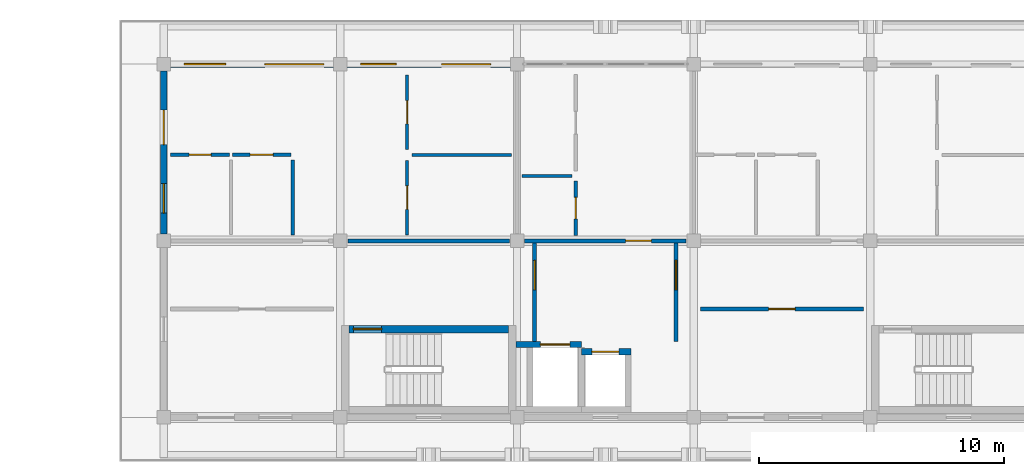
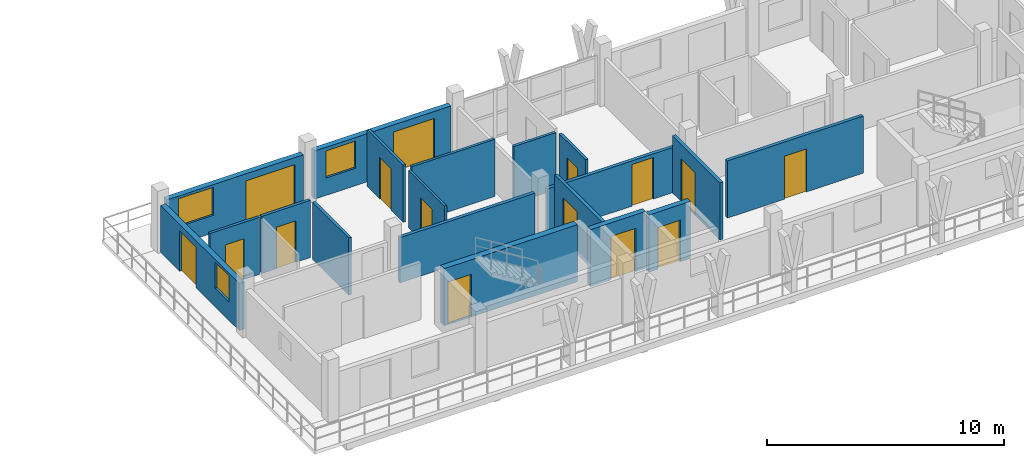
# One storey, part 49 of 65: 19 walls, 15 doors, 3 windows, 18 openings.
"""IFC4 building model written with IfcOpenShell, lengths in metres."""

from ifc_helpers import new_model, si_unit, direction, frame, frame_2d, origin, place, context, subcontext, project, spatial, rectangle, extrude, material, layer, layer_set, type_object, element, fill, save


model = new_model("IFC4")

# Units and contexts
model_context = context("Model", 3, precision=1e-05, world=origin(), true_north=direction((0.0, 1.0)))
body_context = subcontext(model_context, "Body", "Model", "MODEL_VIEW")
ifc_project = project(units=[si_unit("LENGTHUNIT", "METRE"), si_unit("AREAUNIT", "SQUARE_METRE"), si_unit("VOLUMEUNIT", "CUBIC_METRE"), si_unit("PLANEANGLEUNIT", "RADIAN"), si_unit("MASSUNIT", "GRAM", prefix="KILO")], contexts=[model_context])

# Site, building, storey
site_placement = place(None, origin())
site = spatial("IfcSite", under=ifc_project, at=site_placement, CompositionType="ELEMENT")
building_placement = place(site_placement, origin())
building = spatial("IfcBuilding", under=site, at=building_placement, Name="Suanplinth Sawtooth Commons", CompositionType="ELEMENT")
storey_placement = place(building_placement, frame((0.0, 0.0, 28.300048828125)))
storey = spatial("IfcBuildingStorey", under=building, at=storey_placement, Name="L08", CompositionType="ELEMENT", Elevation=28.300048828125)

# Wall, opening, door
ifc_material_1 = material(Name="Concrete C40/50", Category="concrete")
ifc_layer_1 = layer(ifc_material_1, 0.300048828125, Name="Standard RC stair and lift core wall 300mm")
ifc_layer_set_1 = layer_set([ifc_layer_1], Name="Concrete C40/50")
wall_type_1 = type_object("IfcWallType", Name="W-CR02", PredefinedType="SHEAR", material=ifc_layer_set_1)
wall_1_placement = place(storey_placement, frame((137.14990234375, 111.60009765625, 0.0), z_axis=(0.0, 0.0, 1.0), x_axis=(1.0, 0.0, 0.0)))
wall_1 = element("IfcWall", 1, at=wall_1_placement, inside=storey, type_object=wall_type_1, Name="W-L08-C-B1-STN", PredefinedType="SHEAR", context=body_context, shape_type="SweptSolid", body=[
    extrude(rectangle(XDim=6.5, YDim=0.300048828125, at=frame_2d((3.25, 0.0))), origin(), (0.0, 0.0, 1.0), 2.949951171875),
])
opening_1_placement = place(wall_1_placement, frame((0.179931640625, 0.0, 0.0)))
opening_1 = element("IfcOpeningElement", 2, at=opening_1_placement, cuts=wall_1, Name="Opening FD0199", PredefinedType="OPENING", context=body_context, shape_type="SweptSolid", body=[
    extrude(rectangle(XDim=1.14990234375, YDim=2.199951171875, at=frame_2d((0.574951171875, 1.10009765625))), frame((0.0, 0.1650390625, 0.0), z_axis=(0.0, -1.0, 0.0), x_axis=(1.0, 0.0, 0.0)), (0.0, 0.0, 1.0), 0.329833984375),
])
ifc_material_2 = material(Name="Teak hardwood fire-rated door assembly", Category="wood")
door_type_1 = type_object("IfcDoorType", Name="FD-01", OperationType="NOTDEFINED", PredefinedType="DOOR", material=ifc_material_2)
door_1_placement = place(opening_1_placement, frame((1.14990234375, 0.0, 0.0), z_axis=(0.0, 0.0, 1.0), x_axis=(-1.0, 0.0, 0.0)))
door_1 = element("IfcDoor", 3, at=door_1_placement, inside=storey, type_object=door_type_1, Name="Exit Stair Fire Door FD0199", OperationType="SINGLE_SWING_LEFT", OverallHeight=2.199951171875, OverallWidth=1.14990234375, PredefinedType="DOOR", context=body_context, shape_type="SweptSolid", body=[
    extrude(rectangle(XDim=1.14990234375, YDim=2.199951171875, at=frame_2d((0.574951171875, 1.10009765625))), frame((0.0, 0.02490234375, 0.0), z_axis=(0.0, -1.0, 0.0), x_axis=(1.0, 0.0, 0.0)), (0.0, 0.0, 1.0), 0.050048828125),
])
fill(opening_1, door_1)

# Wall, openings, door, window
ifc_material_3 = material(Name="Precast concrete C40/50", Category="concrete")
ifc_layer_2 = layer(ifc_material_3, 0.260009765625, Name="Insulated precast courtyard facade wall 260mm")
ifc_layer_set_2 = layer_set([ifc_layer_2], Name="Precast concrete C40/50")
wall_type_2 = type_object("IfcWallType", Name="W-EX02", PredefinedType="ELEMENTEDWALL", material=ifc_layer_set_2)
wall_2_placement = place(storey_placement, frame((129.875, 122.39990234375, 0.0), z_axis=(0.0, 0.0, 1.0), x_axis=(1.0, 0.0, 0.0)))
wall_2 = element("IfcWall", 4, at=wall_2_placement, inside=storey, type_object=wall_type_2, Name="Facade Wall W-L08-B-N-18-16", PredefinedType="ELEMENTEDWALL", context=body_context, shape_type="SweptSolid", body=[
    extrude(rectangle(XDim=6.64990234375, YDim=0.260009765625, at=frame_2d((3.324951171875, 0.0))), origin(), (0.0, 0.0, 1.0), 2.48486328125),
])
opening_2_placement = place(wall_2_placement, frame((3.85009765625, 0.0, 0.0)))
opening_2 = element("IfcOpeningElement", 5, at=opening_2_placement, cuts=wall_2, Name="Opening ED0643", PredefinedType="OPENING", context=body_context, shape_type="SweptSolid", body=[
    extrude(rectangle(XDim=2.39990234375, YDim=2.1201171875, at=frame_2d((1.199951171875, 1.06005859375))), frame((0.0, 0.14501953125, 0.0), z_axis=(0.0, -1.0, 0.0), x_axis=(1.0, 0.0, 0.0)), (0.0, 0.0, 1.0), 0.289794921875),
])
opening_3_placement = place(wall_2_placement, frame((0.550048828125, 0.0, 0.89990234375)))
opening_3 = element("IfcOpeningElement", 6, at=opening_3_placement, cuts=wall_2, Name="Opening W0723", PredefinedType="OPENING", context=body_context, shape_type="SweptSolid", body=[
    extrude(rectangle(XDim=1.699951171875, YDim=1.449951171875, at=frame_2d((0.85009765625, 0.72509765625))), frame((0.0, 0.14501953125, 0.0), z_axis=(0.0, -1.0, 0.0), x_axis=(1.0, 0.0, 0.0)), (0.0, 0.0, 1.0), 0.289794921875),
])
ifc_material_4 = material(Name="Anodized aluminium and low-E glass", Category="aluminium")
door_type_2 = type_object("IfcDoorType", Name="SD-04", OperationType="DOUBLE_DOOR_SLIDING", PredefinedType="DOOR", material=ifc_material_4)
door_2_placement = place(opening_2_placement, frame((2.39990234375, 0.0, 0.0), z_axis=(0.0, 0.0, 1.0), x_axis=(-1.0, 0.0, 0.0)))
door_2 = element("IfcDoor", 7, at=door_2_placement, inside=storey, type_object=door_type_2, Name="Balcony Sliding Door L08-B-18", OperationType="DOUBLE_DOOR_SLIDING", OverallHeight=2.1201171875, OverallWidth=2.39990234375, PredefinedType="DOOR", context=body_context, shape_type="SweptSolid", body=[
    extrude(rectangle(XDim=2.39990234375, YDim=2.1201171875, at=frame_2d((1.199951171875, 1.06005859375))), frame((0.0, 0.02490234375, 0.0), z_axis=(0.0, -1.0, 0.0), x_axis=(1.0, 0.0, 0.0)), (0.0, 0.0, 1.0), 0.050048828125),
])
fill(opening_2, door_2)
ifc_material_5 = material(Name="Thermally broken aluminium and low-E double glazing", Category="aluminium")
window_type_1 = type_object("IfcWindowType", Name="WN-15", PartitioningType="DOUBLE_PANEL_VERTICAL", PredefinedType="WINDOW", material=ifc_material_5)
window_1_placement = place(opening_3_placement, origin())
window_1 = element("IfcWindow", 8, at=window_1_placement, inside=storey, type_object=window_type_1, Name="Apartment Window L08-B-18", OverallHeight=1.449951171875, OverallWidth=1.699951171875, PartitioningType="DOUBLE_PANEL_VERTICAL", PredefinedType="WINDOW", context=body_context, shape_type="SweptSolid", body=[
    extrude(rectangle(XDim=1.699951171875, YDim=1.449951171875, at=frame_2d((0.85009765625, 0.72509765625))), frame((0.0, 0.030029296875, 0.0), z_axis=(0.0, -1.0, 0.0), x_axis=(1.0, 0.0, 0.0)), (0.0, 0.0, 1.0), 0.06005859375),
])
fill(opening_3, window_1)

wall_3_placement = place(storey_placement, frame((129.60009765625, 115.47509765625, 0.0), z_axis=(0.0, 0.0, 1.0), x_axis=(0.0, 1.0, 0.0)))
wall_3 = element("IfcWall", 9, at=wall_3_placement, inside=storey, type_object=wall_type_2, Name="Facade Wall W-L08-B-W-18-16", PredefinedType="ELEMENTEDWALL", context=body_context, shape_type="SweptSolid", body=[
    extrude(rectangle(XDim=6.64990234375, YDim=0.260009765625, at=frame_2d((3.324951171875, 0.0))), origin(), (0.0, 0.0, 1.0), 2.43505859375),
])
opening_4_placement = place(wall_3_placement, frame((3.64990234375, 0.0, 0.0)))
opening_4 = element("IfcOpeningElement", 10, at=opening_4_placement, cuts=wall_3, Name="Opening ED0644", PredefinedType="OPENING", context=body_context, shape_type="SweptSolid", body=[
    extrude(rectangle(XDim=1.39990234375, YDim=2.10009765625, at=frame_2d((0.699951171875, 1.050048828125))), frame((0.0, 0.14501953125, 0.0), z_axis=(0.0, -1.0, 0.0), x_axis=(1.0, 0.0, 0.0)), (0.0, 0.0, 1.0), 0.289794921875),
])
opening_5_placement = place(wall_3_placement, frame((0.85009765625, 0.0, 0.949951171875)))
opening_5 = element("IfcOpeningElement", 11, at=opening_5_placement, cuts=wall_3, Name="Opening W0724", PredefinedType="OPENING", context=body_context, shape_type="SweptSolid", body=[
    extrude(rectangle(XDim=1.199951171875, YDim=1.35009765625, at=frame_2d((0.60009765625, 0.675048828125))), frame((0.0, 0.14501953125, 0.0), z_axis=(0.0, -1.0, 0.0), x_axis=(1.0, 0.0, 0.0)), (0.0, 0.0, 1.0), 0.289794921875),
])
door_type_3 = type_object("IfcDoorType", Name="SD-07", OperationType="SLIDING_TO_RIGHT", PredefinedType="DOOR", material=ifc_material_4)
door_3_placement = place(opening_4_placement, frame((1.39990234375, 0.0, 0.0), z_axis=(0.0, 0.0, 1.0), x_axis=(-1.0, 0.0, 0.0)))
door_3 = element("IfcDoor", 12, at=door_3_placement, inside=storey, type_object=door_type_3, Name="End Balcony Sliding Door L08-B-W-18-16", OperationType="SLIDING_TO_RIGHT", OverallHeight=2.10009765625, OverallWidth=1.39990234375, PredefinedType="DOOR", context=body_context, shape_type="SweptSolid", body=[
    extrude(rectangle(XDim=1.39990234375, YDim=2.10009765625, at=frame_2d((0.699951171875, 1.050048828125))), frame((0.0, 0.02490234375, 0.0), z_axis=(0.0, -1.0, 0.0), x_axis=(1.0, 0.0, 0.0)), (0.0, 0.0, 1.0), 0.050048828125),
])
fill(opening_4, door_3)
window_type_2 = type_object("IfcWindowType", Name="WN-03", PartitioningType="SINGLE_PANEL", PredefinedType="WINDOW", material=ifc_material_5)
window_2_placement = place(opening_5_placement, origin())
window_2 = element("IfcWindow", 13, at=window_2_placement, inside=storey, type_object=window_type_2, Name="End Bedroom Window L08-B-18-16", OverallHeight=1.35009765625, OverallWidth=1.199951171875, PartitioningType="SINGLE_PANEL", PredefinedType="WINDOW", context=body_context, shape_type="SweptSolid", body=[
    extrude(rectangle(XDim=1.199951171875, YDim=1.35009765625, at=frame_2d((0.60009765625, 0.675048828125))), frame((0.0, 0.030029296875, 0.0), z_axis=(0.0, -1.0, 0.0), x_axis=(1.0, 0.0, 0.0)), (0.0, 0.0, 1.0), 0.06005859375),
])
fill(opening_5, window_2)

wall_4_placement = place(storey_placement, frame((137.074951171875, 122.39990234375, 0.0), z_axis=(0.0, 0.0, 1.0), x_axis=(1.0, 0.0, 0.0)))
wall_4 = element("IfcWall", 14, at=wall_4_placement, inside=storey, type_object=wall_type_2, Name="Facade Wall W-L08-B-N-19-16", PredefinedType="ELEMENTEDWALL", context=body_context, shape_type="SweptSolid", body=[
    extrude(rectangle(XDim=6.650146484375, YDim=0.260009765625, at=frame_2d((3.3251953125, 0.0))), origin(), (0.0, 0.0, 1.0), 2.48486328125),
])
opening_6_placement = place(wall_4_placement, frame((3.85009765625, 0.0, 0.0)))
opening_6 = element("IfcOpeningElement", 15, at=opening_6_placement, cuts=wall_4, Name="Opening ED0645", PredefinedType="OPENING", context=body_context, shape_type="SweptSolid", body=[
    extrude(rectangle(XDim=2.0, YDim=2.1201171875, at=frame_2d((1.0, 1.06005859375))), frame((0.0, 0.14501953125, 0.0), z_axis=(0.0, -1.0, 0.0), x_axis=(1.0, 0.0, 0.0)), (0.0, 0.0, 1.0), 0.289794921875),
])
opening_7_placement = place(wall_4_placement, frame((0.550048828125, 0.0, 0.89990234375)))
opening_7 = element("IfcOpeningElement", 16, at=opening_7_placement, cuts=wall_4, Name="Opening W0726", PredefinedType="OPENING", context=body_context, shape_type="SweptSolid", body=[
    extrude(rectangle(XDim=1.449951171875, YDim=1.39990234375, at=frame_2d((0.72509765625, 0.699951171875))), frame((0.0, 0.14501953125, 0.0), z_axis=(0.0, -1.0, 0.0), x_axis=(1.0, 0.0, 0.0)), (0.0, 0.0, 1.0), 0.289794921875),
])
door_type_4 = type_object("IfcDoorType", Name="SD-06", OperationType="DOUBLE_DOOR_SLIDING", PredefinedType="DOOR", material=ifc_material_4)
door_4_placement = place(opening_6_placement, frame((2.0, 0.0, 0.0), z_axis=(0.0, 0.0, 1.0), x_axis=(-1.0, 0.0, 0.0)))
door_4 = element("IfcDoor", 17, at=door_4_placement, inside=storey, type_object=door_type_4, Name="Balcony Sliding Door L08-B-19", OperationType="DOUBLE_DOOR_SLIDING", OverallHeight=2.1201171875, OverallWidth=2.0, PredefinedType="DOOR", context=body_context, shape_type="SweptSolid", body=[
    extrude(rectangle(XDim=2.0, YDim=2.1201171875, at=frame_2d((1.0, 1.06005859375))), frame((0.0, 0.02490234375, 0.0), z_axis=(0.0, -1.0, 0.0), x_axis=(1.0, 0.0, 0.0)), (0.0, 0.0, 1.0), 0.050048828125),
])
fill(opening_6, door_4)
window_type_3 = type_object("IfcWindowType", Name="WN-16", PartitioningType="DOUBLE_PANEL_VERTICAL", PredefinedType="WINDOW", material=ifc_material_5)
window_3_placement = place(opening_7_placement, origin())
window_3 = element("IfcWindow", 18, at=window_3_placement, inside=storey, type_object=window_type_3, Name="Apartment Window L08-B-19", OverallHeight=1.39990234375, OverallWidth=1.449951171875, PartitioningType="DOUBLE_PANEL_VERTICAL", PredefinedType="WINDOW", context=body_context, shape_type="SweptSolid", body=[
    extrude(rectangle(XDim=1.449951171875, YDim=1.39990234375, at=frame_2d((0.72509765625, 0.699951171875))), frame((0.0, 0.030029296875, 0.0), z_axis=(0.0, -1.0, 0.0), x_axis=(1.0, 0.0, 0.0)), (0.0, 0.0, 1.0), 0.06005859375),
])
fill(opening_7, window_3)

# Wall, opening, door
ifc_layer_3 = layer(ifc_material_3, 0.159912109375, Name="Fire-rated corridor and lobby wall 160mm")
ifc_layer_set_3 = layer_set([ifc_layer_3], Name="Precast concrete C40/50")
wall_type_3 = type_object("IfcWallType", Name="W-FW01", PredefinedType="PARTITIONING", material=ifc_layer_set_3)
wall_5_placement = place(storey_placement, frame((144.719970703125, 111.10009765625, 0.0), z_axis=(0.0, 0.0, 1.0), x_axis=(0.0, 1.0, 0.0)))
wall_5 = element("IfcWall", 19, at=wall_5_placement, inside=storey, type_object=wall_type_3, Name="W-L08-C-B1-LOB-W", PredefinedType="PARTITIONING", context=body_context, shape_type="SweptSolid", body=[
    extrude(rectangle(XDim=4.02001953125, YDim=0.159912109375, at=frame_2d((2.010009765625, 0.0))), origin(), (0.0, 0.0, 1.0), 2.949951171875),
])
opening_8_placement = place(wall_5_placement, frame((2.10009765625, 0.0, 0.0)))
opening_8 = element("IfcOpeningElement", 20, at=opening_8_placement, cuts=wall_5, Name="Opening FD0200", PredefinedType="OPENING", context=body_context, shape_type="SweptSolid", body=[
    extrude(rectangle(XDim=1.199951171875, YDim=2.199951171875, at=frame_2d((0.60009765625, 1.10009765625))), frame((0.0, 0.0947265625, 0.0), z_axis=(0.0, -1.0, 0.0), x_axis=(1.0, 0.0, 0.0)), (0.0, 0.0, 1.0), 0.189697265625),
])
door_type_5 = type_object("IfcDoorType", Name="FD-02", OperationType="NOTDEFINED", PredefinedType="DOOR", material=ifc_material_2)
door_5_placement = place(opening_8_placement, origin())
door_5 = element("IfcDoor", 21, at=door_5_placement, inside=storey, type_object=door_type_5, Name="Lobby Fire Door FD0200", OperationType="SINGLE_SWING_RIGHT", OverallHeight=2.199951171875, OverallWidth=1.199951171875, PredefinedType="DOOR", context=body_context, shape_type="SweptSolid", body=[
    extrude(rectangle(XDim=1.199951171875, YDim=2.199951171875, at=frame_2d((0.60009765625, 1.10009765625))), frame((0.0, 0.02490234375, 0.0), z_axis=(0.0, -1.0, 0.0), x_axis=(1.0, 0.0, 0.0)), (0.0, 0.0, 1.0), 0.050048828125),
])
fill(opening_8, door_5)

wall_6_placement = place(storey_placement, frame((150.47998046875, 111.10009765625, 0.0), z_axis=(0.0, 0.0, 1.0), x_axis=(0.0, 1.0, 0.0)))
wall_6 = element("IfcWall", 22, at=wall_6_placement, inside=storey, type_object=wall_type_3, Name="W-L08-C-B1-LOB-E", PredefinedType="PARTITIONING", context=body_context, shape_type="SweptSolid", body=[
    extrude(rectangle(XDim=4.02001953125, YDim=0.159912109375, at=frame_2d((2.010009765625, 0.0))), origin(), (0.0, 0.0, 1.0), 2.949951171875),
])
opening_9_placement = place(wall_6_placement, frame((2.10009765625, 0.0, 0.0)))
opening_9 = element("IfcOpeningElement", 23, at=opening_9_placement, cuts=wall_6, Name="Opening FD0201", PredefinedType="OPENING", context=body_context, shape_type="SweptSolid", body=[
    extrude(rectangle(XDim=1.199951171875, YDim=2.199951171875, at=frame_2d((0.60009765625, 1.10009765625))), frame((0.0, 0.0947265625, 0.0), z_axis=(0.0, -1.0, 0.0), x_axis=(1.0, 0.0, 0.0)), (0.0, 0.0, 1.0), 0.189697265625),
])
door_6_placement = place(opening_9_placement, frame((1.199951171875, 0.0, 0.0), z_axis=(0.0, 0.0, 1.0), x_axis=(-1.0, 0.0, 0.0)))
door_6 = element("IfcDoor", 24, at=door_6_placement, inside=storey, type_object=door_type_5, Name="Lobby Fire Door FD0201", OperationType="SINGLE_SWING_LEFT", OverallHeight=2.199951171875, OverallWidth=1.199951171875, PredefinedType="DOOR", context=body_context, shape_type="SweptSolid", body=[
    extrude(rectangle(XDim=1.199951171875, YDim=2.199951171875, at=frame_2d((0.60009765625, 1.10009765625))), frame((0.0, 0.02490234375, 0.0), z_axis=(0.0, -1.0, 0.0), x_axis=(1.0, 0.0, 0.0)), (0.0, 0.0, 1.0), 0.050048828125),
])
fill(opening_9, door_6)

# Wall
wall_7_placement = place(storey_placement, frame((137.10498046875, 115.199951171875, 0.0), z_axis=(0.0, 0.0, 1.0), x_axis=(1.0, 0.0, 0.0)))
element("IfcWall", 25, at=wall_7_placement, inside=storey, type_object=wall_type_3, Name="W-B-L08-U01-COR-S2", PredefinedType="PARTITIONING", context=body_context, shape_type="SweptSolid", body=[
    extrude(rectangle(XDim=6.590087890625, YDim=0.159912109375, at=frame_2d((3.294921875, 0.0))), origin(), (0.0, 0.0, 1.0), 2.3349609375),
])

# Wall, opening, door
wall_8_placement = place(storey_placement, frame((144.304931640625, 115.199951171875, 0.0), z_axis=(0.0, 0.0, 1.0), x_axis=(1.0, 0.0, 0.0)))
wall_8 = element("IfcWall", 26, at=wall_8_placement, inside=storey, type_object=wall_type_3, Name="W-B-L08-U02-COR", PredefinedType="PARTITIONING", context=body_context, shape_type="SweptSolid", body=[
    extrude(rectangle(XDim=6.590087890625, YDim=0.159912109375, at=frame_2d((3.294921875, 0.0))), origin(), (0.0, 0.0, 1.0), 2.3349609375),
])
opening_10_placement = place(wall_8_placement, frame((4.1201171875, 0.0, 0.0)))
opening_10 = element("IfcOpeningElement", 27, at=opening_10_placement, cuts=wall_8, Name="Opening FD1674", PredefinedType="OPENING", context=body_context, shape_type="SweptSolid", body=[
    extrude(rectangle(XDim=1.050048828125, YDim=2.14990234375, at=frame_2d((0.52490234375, 1.074951171875))), frame((0.0, 0.0947265625, 0.0), z_axis=(0.0, -1.0, 0.0), x_axis=(1.0, 0.0, 0.0)), (0.0, 0.0, 1.0), 0.189697265625),
])
door_type_6 = type_object("IfcDoorType", Name="FD-04", OperationType="NOTDEFINED", PredefinedType="DOOR", material=ifc_material_2)
door_7_placement = place(opening_10_placement, origin())
door_7 = element("IfcDoor", 28, at=door_7_placement, inside=storey, type_object=door_type_6, Name="Unit Entrance Door FD1674", OperationType="SINGLE_SWING_RIGHT", OverallHeight=2.14990234375, OverallWidth=1.050048828125, PredefinedType="DOOR", context=body_context, shape_type="SweptSolid", body=[
    extrude(rectangle(XDim=1.050048828125, YDim=2.14990234375, at=frame_2d((0.52490234375, 1.074951171875))), frame((0.0, 0.02490234375, 0.0), z_axis=(0.0, -1.0, 0.0), x_axis=(1.0, 0.0, 0.0)), (0.0, 0.0, 1.0), 0.050048828125),
])
fill(opening_10, door_7)

wall_9_placement = place(storey_placement, frame((151.47998046875, 112.419921875, 0.0), z_axis=(0.0, 0.0, 1.0), x_axis=(1.0, 0.0, 0.0)))
wall_9 = element("IfcWall", 29, at=wall_9_placement, inside=storey, type_object=wall_type_3, Name="W-B-L08-COURTROOM-23-COR", PredefinedType="PARTITIONING", context=body_context, shape_type="SweptSolid", body=[
    extrude(rectangle(XDim=6.64013671875, YDim=0.159912109375, at=frame_2d((3.320068359375, 0.0))), origin(), (0.0, 0.0, 1.0), 2.949951171875),
])
opening_11_placement = place(wall_9_placement, frame((2.780029296875, 0.0, 0.0)))
opening_11 = element("IfcOpeningElement", 30, at=opening_11_placement, cuts=wall_9, Name="Opening D1691", PredefinedType="OPENING", context=body_context, shape_type="SweptSolid", body=[
    extrude(rectangle(XDim=1.080078125, YDim=2.219970703125, at=frame_2d((0.5400390625, 1.10986328125))), frame((0.0, 0.0947265625, 0.0), z_axis=(0.0, -1.0, 0.0), x_axis=(1.0, 0.0, 0.0)), (0.0, 0.0, 1.0), 0.189697265625),
])
ifc_material_6 = material(Name="Teak hardwood", Category="wood")
door_type_7 = type_object("IfcDoorType", Name="D-17", OperationType="NOTDEFINED", PredefinedType="DOOR", material=ifc_material_6)
door_8_placement = place(opening_11_placement, frame((1.080078125, 0.0, 0.0), z_axis=(0.0, 0.0, 1.0), x_axis=(-1.0, 0.0, 0.0)))
door_8 = element("IfcDoor", 31, at=door_8_placement, inside=storey, type_object=door_type_7, Name="Study Studio Door D1691", OperationType="SINGLE_SWING_LEFT", OverallHeight=2.219970703125, OverallWidth=1.080078125, PredefinedType="DOOR", context=body_context, shape_type="SweptSolid", body=[
    extrude(rectangle(XDim=1.080078125, YDim=2.219970703125, at=frame_2d((0.5400390625, 1.10986328125))), frame((0.0, 0.02490234375, 0.0), z_axis=(0.0, -1.0, 0.0), x_axis=(1.0, 0.0, 0.0)), (0.0, 0.0, 1.0), 0.050048828125),
])
fill(opening_11, door_8)

ifc_material_7 = material(Name="Gypsum plasterboard on steel stud", Category="steel")
ifc_layer_4 = layer(ifc_material_7, 0.139892578125, Name="Fire-rated kitchen partition 140mm")
ifc_layer_set_4 = layer_set([ifc_layer_4], Name="Gypsum plasterboard on steel stud")
wall_type_4 = type_object("IfcWallType", Name="W-PT01", PredefinedType="PARTITIONING", material=ifc_layer_set_4)
wall_10_placement = place(storey_placement, frame((132.39990234375, 118.7099609375, 0.0), z_axis=(0.0, 0.0, 1.0), x_axis=(1.0, 0.0, 0.0)))
wall_10 = element("IfcWall", 32, at=wall_10_placement, inside=storey, type_object=wall_type_4, Name="W-B-L08-U01-KIT1", PredefinedType="PARTITIONING", context=body_context, shape_type="SweptSolid", body=[
    extrude(rectangle(XDim=2.380126953125, YDim=0.139892578125, at=frame_2d((1.18994140625, 0.0))), origin(), (0.0, 0.0, 1.0), 2.949951171875),
])
opening_12_placement = place(wall_10_placement, frame((0.72509765625, 0.0, 0.0)))
opening_12 = element("IfcOpeningElement", 33, at=opening_12_placement, cuts=wall_10, Name="Opening D1671", PredefinedType="OPENING", context=body_context, shape_type="SweptSolid", body=[
    extrude(rectangle(XDim=0.929931640625, YDim=2.139892578125, at=frame_2d((0.46484375, 1.06982421875))), frame((0.0, 0.0849609375, 0.0), z_axis=(0.0, -1.0, 0.0), x_axis=(1.0, 0.0, 0.0)), (0.0, 0.0, 1.0), 0.169677734375),
])
door_type_8 = type_object("IfcDoorType", Name="D-19", OperationType="NOTDEFINED", PredefinedType="DOOR", material=ifc_material_6)
door_9_placement = place(opening_12_placement, frame((0.929931640625, 0.0, 0.0), z_axis=(0.0, 0.0, 1.0), x_axis=(-1.0, 0.0, 0.0)))
door_9 = element("IfcDoor", 34, at=door_9_placement, inside=storey, type_object=door_type_8, Name="Kitchen Door D1671", OperationType="SINGLE_SWING_LEFT", OverallHeight=2.139892578125, OverallWidth=0.929931640625, PredefinedType="DOOR", context=body_context, shape_type="SweptSolid", body=[
    extrude(rectangle(XDim=0.929931640625, YDim=2.139892578125, at=frame_2d((0.46484375, 1.06982421875))), frame((0.0, 0.02490234375, 0.0), z_axis=(0.0, -1.0, 0.0), x_axis=(1.0, 0.0, 0.0)), (0.0, 0.0, 1.0), 0.050048828125),
])
fill(opening_12, door_9)

# Wall
wall_11_placement = place(storey_placement, frame((134.85009765625, 115.429931640625, 0.0), z_axis=(0.0, 0.0, 1.0), x_axis=(0.0, 1.0, 0.0)))
element("IfcWall", 35, at=wall_11_placement, inside=storey, type_object=wall_type_4, Name="W-B-L08-U01-KIT2", PredefinedType="PARTITIONING", context=body_context, shape_type="SweptSolid", body=[
    extrude(rectangle(XDim=3.06005859375, YDim=0.139892578125, at=frame_2d((1.530029296875, 0.0))), origin(), (0.0, 0.0, 1.0), 2.949951171875),
])

# Wall, opening, door
ifc_layer_5 = layer(ifc_material_7, 0.1298828125, Name="Moisture-resistant bathroom partition 130mm")
ifc_layer_set_5 = layer_set([ifc_layer_5], Name="Gypsum plasterboard on steel stud")
wall_type_5 = type_object("IfcWallType", Name="W-PT02", PredefinedType="PARTITIONING", material=ifc_layer_set_5)
wall_12_placement = place(storey_placement, frame((129.8798828125, 118.705078125, 0.0), z_axis=(0.0, 0.0, 1.0), x_axis=(1.0, 0.0, 0.0)))
wall_12 = element("IfcWall", 36, at=wall_12_placement, inside=storey, type_object=wall_type_5, Name="W-B-L08-U01-BTH1", PredefinedType="PARTITIONING", context=body_context, shape_type="SweptSolid", body=[
    extrude(rectangle(XDim=2.400146484375, YDim=0.1298828125, at=frame_2d((1.2001953125, 0.0))), origin(), (0.0, 0.0, 1.0), 2.949951171875),
])
opening_13_placement = place(wall_12_placement, frame((0.75, 0.0, 0.0)))
opening_13 = element("IfcOpeningElement", 37, at=opening_13_placement, cuts=wall_12, Name="Opening D1670", PredefinedType="OPENING", context=body_context, shape_type="SweptSolid", body=[
    extrude(rectangle(XDim=0.89990234375, YDim=2.10009765625, at=frame_2d((0.449951171875, 1.050048828125))), frame((0.0, 0.079833984375, 0.0), z_axis=(0.0, -1.0, 0.0), x_axis=(1.0, 0.0, 0.0)), (0.0, 0.0, 1.0), 0.15966796875),
])
door_type_9 = type_object("IfcDoorType", Name="D-01", OperationType="NOTDEFINED", PredefinedType="DOOR", material=ifc_material_6)
door_10_placement = place(opening_13_placement, frame((0.89990234375, 0.0, 0.0), z_axis=(0.0, 0.0, 1.0), x_axis=(-1.0, 0.0, 0.0)))
door_10 = element("IfcDoor", 38, at=door_10_placement, inside=storey, type_object=door_type_9, Name="Bathroom Door D1670", OperationType="SINGLE_SWING_RIGHT", OverallHeight=2.10009765625, OverallWidth=0.89990234375, PredefinedType="DOOR", context=body_context, shape_type="SweptSolid", body=[
    extrude(rectangle(XDim=0.89990234375, YDim=2.10009765625, at=frame_2d((0.449951171875, 1.050048828125))), frame((0.0, 0.02490234375, 0.0), z_axis=(0.0, -1.0, 0.0), x_axis=(1.0, 0.0, 0.0)), (0.0, 0.0, 1.0), 0.050048828125),
])
fill(opening_13, door_10)

# Wall
wall_13_placement = place(storey_placement, frame((144.199951171875, 117.840087890625, 0.0), z_axis=(0.0, 0.0, 1.0), x_axis=(1.0, 0.0, 0.0)))
element("IfcWall", 39, at=wall_13_placement, inside=storey, type_object=wall_type_5, Name="W-B-L08-U02-STDIV", PredefinedType="PARTITIONING", context=body_context, shape_type="SweptSolid", body=[
    extrude(rectangle(XDim=2.050048828125, YDim=0.1298828125, at=frame_2d((1.02490234375, 0.0))), origin(), (0.0, 0.0, 1.0), 2.949951171875),
])

# Wall, opening, door
wall_14_placement = place(storey_placement, frame((146.39501953125, 115.419921875, 0.0), z_axis=(0.0, 0.0, 1.0), x_axis=(0.0, 1.0, 0.0)))
wall_14 = element("IfcWall", 40, at=wall_14_placement, inside=storey, type_object=wall_type_5, Name="W-B-L08-U02-BTHE", PredefinedType="PARTITIONING", context=body_context, shape_type="SweptSolid", body=[
    extrude(rectangle(XDim=2.219970703125, YDim=0.1298828125, at=frame_2d((1.10986328125, 0.0))), origin(), (0.0, 0.0, 1.0), 2.949951171875),
])
opening_14_placement = place(wall_14_placement, frame((0.669921875, 0.0, 0.0)))
opening_14 = element("IfcOpeningElement", 41, at=opening_14_placement, cuts=wall_14, Name="Opening D1675", PredefinedType="OPENING", context=body_context, shape_type="SweptSolid", body=[
    extrude(rectangle(XDim=0.8798828125, YDim=2.10009765625, at=frame_2d((0.43994140625, 1.050048828125))), frame((0.0, 0.079833984375, 0.0), z_axis=(0.0, -1.0, 0.0), x_axis=(1.0, 0.0, 0.0)), (0.0, 0.0, 1.0), 0.15966796875),
])
door_type_10 = type_object("IfcDoorType", Name="D-14", OperationType="NOTDEFINED", PredefinedType="DOOR", material=ifc_material_6)
door_11_placement = place(opening_14_placement, origin())
door_11 = element("IfcDoor", 42, at=door_11_placement, inside=storey, type_object=door_type_10, Name="Bathroom Door D1675", OperationType="SINGLE_SWING_LEFT", OverallHeight=2.10009765625, OverallWidth=0.8798828125, PredefinedType="DOOR", context=body_context, shape_type="SweptSolid", body=[
    extrude(rectangle(XDim=0.8798828125, YDim=2.10009765625, at=frame_2d((0.43994140625, 1.050048828125))), frame((0.0, 0.02490234375, 0.0), z_axis=(0.0, -1.0, 0.0), x_axis=(1.0, 0.0, 0.0)), (0.0, 0.0, 1.0), 0.050048828125),
])
fill(opening_14, door_11)

ifc_layer_6 = layer(ifc_material_7, 0.1201171875, Name="Acoustic bedroom partition 120mm")
ifc_layer_set_6 = layer_set([ifc_layer_6], Name="Gypsum plasterboard on steel stud")
wall_type_6 = type_object("IfcWallType", Name="W-PT03", PredefinedType="PARTITIONING", material=ifc_layer_set_6)
wall_15_placement = place(storey_placement, frame((139.52001953125, 118.919921875, 0.0), z_axis=(0.0, 0.0, 1.0), x_axis=(0.0, 1.0, 0.0)))
wall_15 = element("IfcWall", 43, at=wall_15_placement, inside=storey, type_object=wall_type_6, Name="W-B-L08-U01-BED1", PredefinedType="PARTITIONING", context=body_context, shape_type="SweptSolid", body=[
    extrude(rectangle(XDim=3.0400390625, YDim=0.1201171875, at=frame_2d((1.52001953125, 0.0))), origin(), (0.0, 0.0, 1.0), 2.949951171875),
])
opening_15_placement = place(wall_15_placement, frame((1.044921875, 0.0, 0.0)))
opening_15 = element("IfcOpeningElement", 44, at=opening_15_placement, cuts=wall_15, Name="Opening D1672", PredefinedType="OPENING", context=body_context, shape_type="SweptSolid", body=[
    extrude(rectangle(XDim=0.949951171875, YDim=2.14990234375, at=frame_2d((0.47509765625, 1.074951171875))), frame((0.0, 0.074951171875, 0.0), z_axis=(0.0, -1.0, 0.0), x_axis=(1.0, 0.0, 0.0)), (0.0, 0.0, 1.0), 0.14990234375),
])
door_type_11 = type_object("IfcDoorType", Name="D-03", OperationType="NOTDEFINED", PredefinedType="DOOR", material=ifc_material_6)
door_12_placement = place(opening_15_placement, frame((0.949951171875, 0.0, 0.0), z_axis=(0.0, 0.0, 1.0), x_axis=(-1.0, 0.0, 0.0)))
door_12 = element("IfcDoor", 45, at=door_12_placement, inside=storey, type_object=door_type_11, Name="Bedroom Door D1672", OperationType="SINGLE_SWING_RIGHT", OverallHeight=2.14990234375, OverallWidth=0.949951171875, PredefinedType="DOOR", context=body_context, shape_type="SweptSolid", body=[
    extrude(rectangle(XDim=0.949951171875, YDim=2.14990234375, at=frame_2d((0.47509765625, 1.074951171875))), frame((0.0, 0.02490234375, 0.0), z_axis=(0.0, -1.0, 0.0), x_axis=(1.0, 0.0, 0.0)), (0.0, 0.0, 1.0), 0.050048828125),
])
fill(opening_15, door_12)

wall_16_placement = place(storey_placement, frame((139.52001953125, 115.43994140625, 0.0), z_axis=(0.0, 0.0, 1.0), x_axis=(0.0, 1.0, 0.0)))
wall_16 = element("IfcWall", 46, at=wall_16_placement, inside=storey, type_object=wall_type_6, Name="W-B-L08-U01-BED2", PredefinedType="PARTITIONING", context=body_context, shape_type="SweptSolid", body=[
    extrude(rectangle(XDim=3.0400390625, YDim=0.1201171875, at=frame_2d((1.52001953125, 0.0))), origin(), (0.0, 0.0, 1.0), 2.949951171875),
])
opening_16_placement = place(wall_16_placement, frame((1.0400390625, 0.0, 0.0)))
opening_16 = element("IfcOpeningElement", 47, at=opening_16_placement, cuts=wall_16, Name="Opening D1673", PredefinedType="OPENING", context=body_context, shape_type="SweptSolid", body=[
    extrude(rectangle(XDim=0.9599609375, YDim=2.14990234375, at=frame_2d((0.47998046875, 1.074951171875))), frame((0.0, 0.074951171875, 0.0), z_axis=(0.0, -1.0, 0.0), x_axis=(1.0, 0.0, 0.0)), (0.0, 0.0, 1.0), 0.14990234375),
])
door_type_12 = type_object("IfcDoorType", Name="D-13", OperationType="NOTDEFINED", PredefinedType="DOOR", material=ifc_material_6)
door_13_placement = place(opening_16_placement, frame((0.9599609375, 0.0, 0.0), z_axis=(0.0, 0.0, 1.0), x_axis=(-1.0, 0.0, 0.0)))
door_13 = element("IfcDoor", 48, at=door_13_placement, inside=storey, type_object=door_type_12, Name="Second Bedroom Door D1673", OperationType="SINGLE_SWING_LEFT", OverallHeight=2.14990234375, OverallWidth=0.9599609375, PredefinedType="DOOR", context=body_context, shape_type="SweptSolid", body=[
    extrude(rectangle(XDim=0.9599609375, YDim=2.14990234375, at=frame_2d((0.47998046875, 1.074951171875))), frame((0.0, 0.02490234375, 0.0), z_axis=(0.0, -1.0, 0.0), x_axis=(1.0, 0.0, 0.0)), (0.0, 0.0, 1.0), 0.050048828125),
])
fill(opening_16, door_13)

# Wall
ifc_layer_7 = layer(ifc_material_7, 0.125, Name="Acoustic study partition 125mm")
ifc_layer_set_7 = layer_set([ifc_layer_7], Name="Gypsum plasterboard on steel stud")
wall_type_7 = type_object("IfcWallType", Name="W-PT06", PredefinedType="PARTITIONING", material=ifc_layer_set_7)
wall_17_placement = place(storey_placement, frame((139.719970703125, 118.699951171875, 0.0), z_axis=(0.0, 0.0, 1.0), x_axis=(1.0, 0.0, 0.0)))
element("IfcWall", 49, at=wall_17_placement, inside=storey, type_object=wall_type_7, Name="W-B-L08-U01-BEDDIV", PredefinedType="PARTITIONING", context=body_context, shape_type="SweptSolid", body=[
    extrude(rectangle(XDim=4.06005859375, YDim=0.125, at=frame_2d((2.030029296875, 0.0))), origin(), (0.0, 0.0, 1.0), 2.949951171875),
])

# Wall, opening, door
ifc_layer_8 = layer(ifc_material_3, 0.25, Name="Precast structural shear wall 250mm")
ifc_layer_set_8 = layer_set([ifc_layer_8], Name="Precast concrete C40/50")
wall_type_8 = type_object("IfcWallType", Name="W-SH01", PredefinedType="SHEAR", material=ifc_layer_set_8)
wall_18_placement = place(storey_placement, frame((143.949951171875, 110.97509765625, 0.0), z_axis=(0.0, 0.0, 1.0), x_axis=(1.0, 0.0, 0.0)))
wall_18 = element("IfcWall", 50, at=wall_18_placement, inside=storey, type_object=wall_type_8, Name="W-L08-FL2-N", PredefinedType="SHEAR", context=body_context, shape_type="SweptSolid", body=[
    extrude(rectangle(XDim=2.675048828125, YDim=0.25, at=frame_2d((1.33740234375, 0.0))), origin(), (0.0, 0.0, 1.0), 2.949951171875),
])
opening_17_placement = place(wall_18_placement, frame((1.0, 0.0, 0.0)))
opening_17 = element("IfcOpeningElement", 51, at=opening_17_placement, cuts=wall_18, Name="Opening LD0202", PredefinedType="OPENING", context=body_context, shape_type="SweptSolid", body=[
    extrude(rectangle(XDim=1.199951171875, YDim=2.25, at=frame_2d((0.60009765625, 1.125))), frame((0.0, 0.139892578125, 0.0), z_axis=(0.0, -1.0, 0.0), x_axis=(1.0, 0.0, 0.0)), (0.0, 0.0, 1.0), 0.27978515625),
])
ifc_material_8 = material(Name="Stainless steel Grade 304", Category="steel")
door_type_13 = type_object("IfcDoorType", Name="LD-02", OperationType="SLIDING_TO_LEFT", PredefinedType="DOOR", material=ifc_material_8)
door_14_placement = place(opening_17_placement, origin())
door_14 = element("IfcDoor", 52, at=door_14_placement, inside=storey, type_object=door_type_13, Name="Lift Landing Sliding Door FL2 L08", OperationType="SLIDING_TO_LEFT", OverallHeight=2.25, OverallWidth=1.199951171875, PredefinedType="DOOR", context=body_context, shape_type="SweptSolid", body=[
    extrude(rectangle(XDim=1.199951171875, YDim=2.25, at=frame_2d((0.60009765625, 1.125))), frame((0.0, 0.02490234375, 0.0), z_axis=(0.0, -1.0, 0.0), x_axis=(1.0, 0.0, 0.0)), (0.0, 0.0, 1.0), 0.050048828125),
])
fill(opening_17, door_14)

wall_19_placement = place(storey_placement, frame((146.625, 110.675048828125, 0.0), z_axis=(0.0, 0.0, 1.0), x_axis=(1.0, 0.0, 0.0)))
wall_19 = element("IfcWall", 53, at=wall_19_placement, inside=storey, type_object=wall_type_8, Name="W-L08-LF3-N", PredefinedType="SHEAR", context=body_context, shape_type="SweptSolid", body=[
    extrude(rectangle(XDim=2.02490234375, YDim=0.25, at=frame_2d((1.012451171875, 0.0))), origin(), (0.0, 0.0, 1.0), 2.949951171875),
])
opening_18_placement = place(wall_19_placement, frame((0.425048828125, 0.0, 0.0)))
opening_18 = element("IfcOpeningElement", 54, at=opening_18_placement, cuts=wall_19, Name="Opening LD0203", PredefinedType="OPENING", context=body_context, shape_type="SweptSolid", body=[
    extrude(rectangle(XDim=1.10009765625, YDim=2.14990234375, at=frame_2d((0.550048828125, 1.074951171875))), frame((0.0, 0.139892578125, 0.0), z_axis=(0.0, -1.0, 0.0), x_axis=(1.0, 0.0, 0.0)), (0.0, 0.0, 1.0), 0.27978515625),
])
door_type_14 = type_object("IfcDoorType", Name="LD-01", OperationType="SLIDING_TO_LEFT", PredefinedType="DOOR", material=ifc_material_8)
door_15_placement = place(opening_18_placement, origin())
door_15 = element("IfcDoor", 55, at=door_15_placement, inside=storey, type_object=door_type_14, Name="Lift Landing Sliding Door LF3 L08", OperationType="SLIDING_TO_LEFT", OverallHeight=2.14990234375, OverallWidth=1.10009765625, PredefinedType="DOOR", context=body_context, shape_type="SweptSolid", body=[
    extrude(rectangle(XDim=1.10009765625, YDim=2.14990234375, at=frame_2d((0.550048828125, 1.074951171875))), frame((0.0, 0.02490234375, 0.0), z_axis=(0.0, -1.0, 0.0), x_axis=(1.0, 0.0, 0.0)), (0.0, 0.0, 1.0), 0.050048828125),
])
fill(opening_18, door_15)

save(model, "model.ifc")
